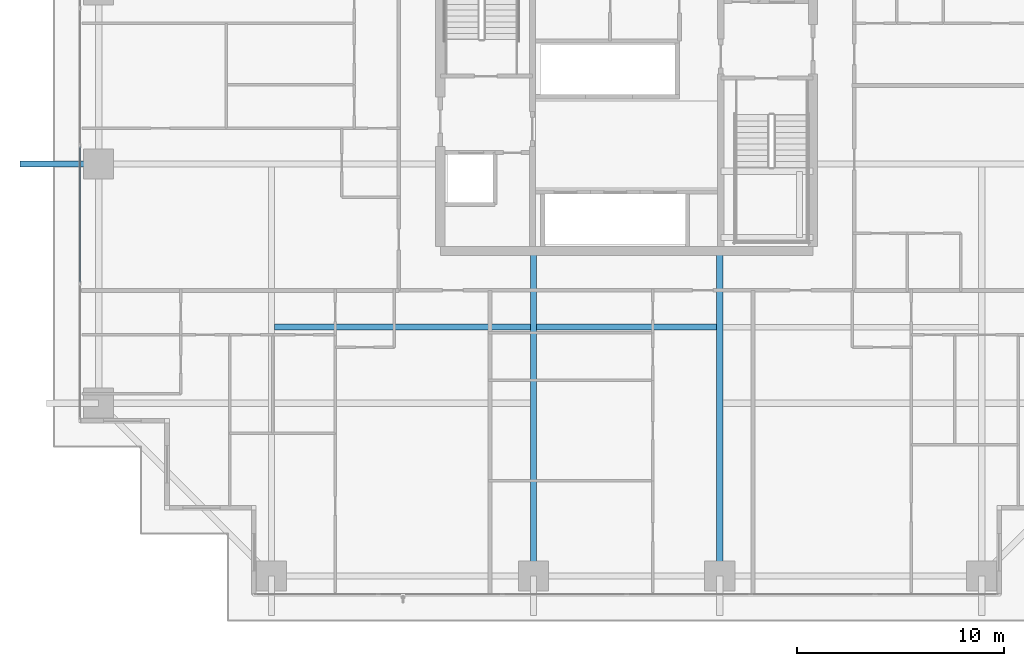
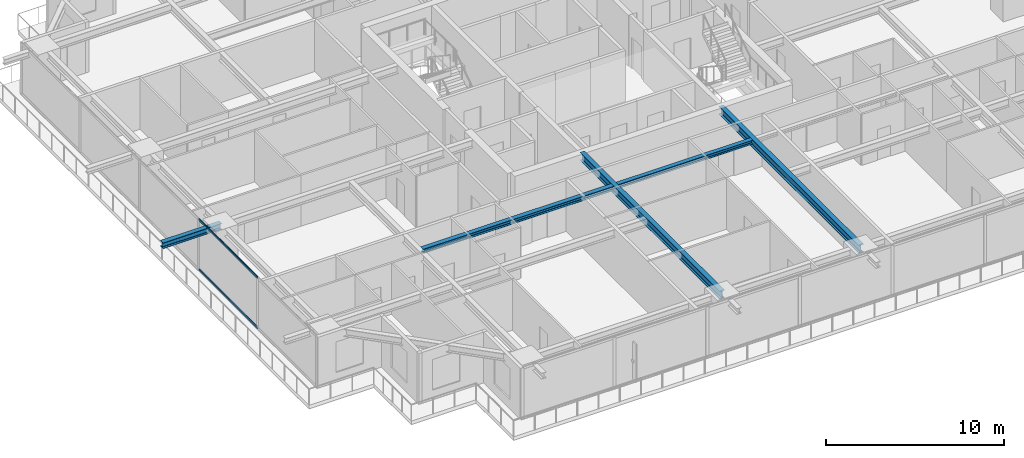
# One storey, part 6 of 38: 5 beams, 2 members, 1 element without a shape of its own.
"""IFC4 building model written with IfcOpenShell, lengths in metres."""

from ifc_helpers import new_model, si_unit, direction, frame, origin, origin_2d, place, context, subcontext, project, spatial, hollow_rectangle, i_section, extrude, source, transform, mapped, material, layer, layer_set, material_profile, profile_set, type_object, element, aggregate, save


model = new_model("IFC4")

# Units and contexts
model_context = context("Model", 3, precision=1e-05, world=origin(), true_north=direction((0.0, 1.0)))
body_context = subcontext(model_context, "Body", "Model", "MODEL_VIEW")
ifc_project = project(units=[si_unit("LENGTHUNIT", "METRE"), si_unit("AREAUNIT", "SQUARE_METRE"), si_unit("VOLUMEUNIT", "CUBIC_METRE"), si_unit("PLANEANGLEUNIT", "RADIAN"), si_unit("MASSUNIT", "GRAM", prefix="KILO")], contexts=[model_context])

# Site, building, storey
site_placement = place(None, origin())
site = spatial("IfcSite", under=ifc_project, at=site_placement, CompositionType="ELEMENT")
building_placement = place(site_placement, origin())
building = spatial("IfcBuilding", under=site, at=building_placement, Name="Serunith Strait Residences", CompositionType="ELEMENT")
storey_placement = place(building_placement, frame((0.0, 0.0, 52.949951171875)))
storey = spatial("IfcBuildingStorey", under=building, at=storey_placement, Name="L12", CompositionType="ELEMENT", Elevation=52.949951171875)

# Beams
ifc_material_1 = material(Name="Steel S355J2", Category="steel")
ifc_material_profile_1 = material_profile(ifc_material_1, i_section(OverallWidth=0.300048828125, OverallDepth=0.550048828125, WebThickness=0.014892578125, FlangeThickness=0.029052734375, FilletRadius=0.027099609375, at=origin_2d()), Name="HEB 550")
ifc_profile_set_1 = profile_set([ifc_material_profile_1], Name="Steel S355J2")
beam_type_1 = type_object("IfcBeamType", Name="BM-HEB550", PredefinedType="BEAM", material=ifc_profile_set_1)
shared_shape_1 = source(origin(), body_context, "Body", "SweptSolid", [
    extrude(i_section(OverallWidth=0.300048828125, OverallDepth=0.550048828125, WebThickness=0.014892578125, FlangeThickness=0.029052734375, FilletRadius=0.027099609375, at=origin_2d()), origin(), (0.0, 0.0, 1.0), 15.699951171875),
])
for number, where, z_axis, x_axis, name in (
    (1, (27.89990234375, 16.800048828125, 3.212158203125), (0.0, -1.0, 0.0), (1.0, 0.0, 0.0), "L12 Primary Floor Girder TC-S2"),
    (2, (36.89990234375, 16.800048828125, 3.212158203125), (0.0, -1.0, 0.0), (1.0, 0.0, 0.0), "L12 Primary Floor Girder TC-S3"),
):
    element("IfcBeam", number, at=place(storey_placement, frame(where, z_axis=z_axis, x_axis=x_axis)), inside=storey, type_object=beam_type_1, Name=name, PredefinedType="BEAM", context=body_context, shape_type="MappedRepresentation", body=[
        mapped(shared_shape_1, transform((0.0, 0.0, 0.0), scale=1.0)),
    ])
ifc_material_profile_2 = material_profile(ifc_material_1, i_section(OverallWidth=0.300048828125, OverallDepth=0.39990234375, WebThickness=0.013427734375, FlangeThickness=0.02392578125, FilletRadius=0.027099609375, at=origin_2d()), Name="HEB 400")
ifc_profile_set_2 = profile_set([ifc_material_profile_2], Name="Steel S355J2")
beam_type_2 = type_object("IfcBeamType", Name="BM-HEB400", PredefinedType="BEAM", material=ifc_profile_set_2)
shared_shape_2 = source(origin(), body_context, "Body", "SweptSolid", [
    extrude(i_section(OverallWidth=0.300048828125, OverallDepth=0.39990234375, WebThickness=0.013427734375, FlangeThickness=0.02392578125, FilletRadius=0.027099609375, at=origin_2d()), origin(), (0.0, 0.0, 1.0), 3.7998046875),
])
beam_1_placement = place(storey_placement, frame((6.89990234375, 21.0, 3.257080078125), z_axis=(-1.0, 0.0, 0.0), x_axis=(0.0, -1.0, 0.0)))
element("IfcBeam", 3, at=beam_1_placement, inside=storey, type_object=beam_type_2, Name="L13 Cantilevered Balcony Rib TC-W2", PredefinedType="BEAM", context=body_context, shape_type="MappedRepresentation", body=[
    mapped(shared_shape_2, transform((0.0, 0.0, 0.0), scale=1.0)),
])
ifc_material_profile_3 = material_profile(ifc_material_1, i_section(OverallWidth=0.300048828125, OverallDepth=0.300048828125, WebThickness=0.010986328125, FlangeThickness=0.01904296875, FilletRadius=0.027099609375, at=origin_2d()), Name="HEB 300")
ifc_profile_set_3 = profile_set([ifc_material_profile_3], Name="Steel S355J2")
beam_type_3 = type_object("IfcBeamType", Name="BM-HEB300", PredefinedType="JOIST", material=ifc_profile_set_3)
shared_shape_3 = source(origin(), body_context, "Body", "SweptSolid", [
    extrude(i_section(OverallWidth=0.300048828125, OverallDepth=0.300048828125, WebThickness=0.010986328125, FlangeThickness=0.01904296875, FilletRadius=0.027099609375, at=origin_2d()), origin(), (0.0, 0.0, 1.0), 12.35009765625),
])
beam_2_placement = place(storey_placement, frame((15.39990234375, 13.125, 3.337158203125), z_axis=(1.0, 0.0, 0.0), x_axis=(0.0, 1.0, 0.0)))
element("IfcBeam", 4, at=beam_2_placement, inside=storey, type_object=beam_type_3, Name="L12 Composite Floor Joist 01", PredefinedType="JOIST", context=body_context, shape_type="MappedRepresentation", body=[
    mapped(shared_shape_3, transform((0.0, 0.0, 0.0), scale=1.0)),
])
ifc_material_profile_4 = material_profile(ifc_material_1, i_section(OverallWidth=0.280029296875, OverallDepth=0.280029296875, WebThickness=0.010498046875, FlangeThickness=0.01806640625, FilletRadius=0.02392578125, at=origin_2d()), Name="HEB 280")
ifc_profile_set_4 = profile_set([ifc_material_profile_4], Name="Steel S355J2")
beam_type_4 = type_object("IfcBeamType", Name="BM-HEB280", PredefinedType="JOIST", material=ifc_profile_set_4)
shared_shape_4 = source(origin(), body_context, "Body", "SweptSolid", [
    extrude(i_section(OverallWidth=0.280029296875, OverallDepth=0.280029296875, WebThickness=0.010498046875, FlangeThickness=0.01806640625, FilletRadius=0.02392578125, at=origin_2d()), origin(), (0.0, 0.0, 1.0), 8.699951171875),
])
beam_3_placement = place(storey_placement, frame((28.050048828125, 13.125, 3.34716796875), z_axis=(1.0, 0.0, 0.0), x_axis=(0.0, 1.0, 0.0)))
element("IfcBeam", 5, at=beam_3_placement, inside=storey, type_object=beam_type_4, Name="L12 Composite Floor Joist 02", PredefinedType="JOIST", context=body_context, shape_type="MappedRepresentation", body=[
    mapped(shared_shape_4, transform((0.0, 0.0, 0.0), scale=1.0)),
])

# Curtain wall, members
ifc_material_2 = material(Name="Pale-Champagne Anodised Aluminium", Category="aluminium")
ifc_layer = layer(ifc_material_2, 0.199951171875, Name="Pale-Champagne Anodised Aluminium")
ifc_layer_set = layer_set([ifc_layer], Name="Pale-Champagne Anodised Aluminium")
curtain_wall_type = type_object("IfcCurtainWallType", Name="CW-SYS1", PredefinedType="NOTDEFINED", material=ifc_layer_set)
curtain_wall_placement = place(storey_placement, origin())
curtain_wall = element("IfcCurtainWall", 6, at=curtain_wall_placement, inside=storey, type_object=curtain_wall_type, Name="L12 W Unitised Fritted Curtain Wall", PredefinedType="NOTDEFINED")
ifc_material_profile_5 = material_profile(ifc_material_2, hollow_rectangle(XDim=0.06005859375, YDim=0.159912109375, WallThickness=0.00341796875, InnerFilletRadius=0.00537109375, OuterFilletRadius=0.0087890625, at=origin_2d()), Name="ALU 160x60x3.5")
ifc_profile_set_5 = profile_set([ifc_material_profile_5], Name="Pale-Champagne Anodised Aluminium")
member_type = type_object("IfcMemberType", Name="CW-SYS1-TRAN", PredefinedType="USERDEFINED", material=ifc_profile_set_5)
shared_shape_5 = source(origin(), body_context, "Body", "SweptSolid", [
    extrude(hollow_rectangle(XDim=0.06005859375, YDim=0.159912109375, WallThickness=0.00341796875, InnerFilletRadius=0.00537109375, OuterFilletRadius=0.0087890625, at=origin_2d()), origin(), (0.0, 0.0, 1.0), 6.570068359375),
])
member_1_placement = place(storey_placement, frame((6.0, 21.844970703125, 0.030029296875), z_axis=(0.0, -1.0, 0.0), x_axis=(1.0, 0.0, 0.0)))
member_1 = element("IfcMember", 7, at=member_1_placement, type_object=member_type, Name="CW-1 transom 4.1", ObjectType="TRANSOM", PredefinedType="USERDEFINED", context=body_context, shape_type="MappedRepresentation", body=[
    mapped(shared_shape_5, transform((0.0, 0.0, 0.0), scale=1.0)),
])
member_2_placement = place(storey_placement, frame((6.0, 21.844970703125, 3.445068359375), z_axis=(0.0, -1.0, 0.0), x_axis=(1.0, 0.0, 0.0)))
member_2 = element("IfcMember", 8, at=member_2_placement, type_object=member_type, Name="CW-1 transom 4.2", ObjectType="TRANSOM", PredefinedType="USERDEFINED", context=body_context, shape_type="MappedRepresentation", body=[
    mapped(shared_shape_5, transform((0.0, 0.0, 0.0), scale=1.0)),
])
aggregate(curtain_wall, [member_1, member_2])

save(model, "model.ifc")
